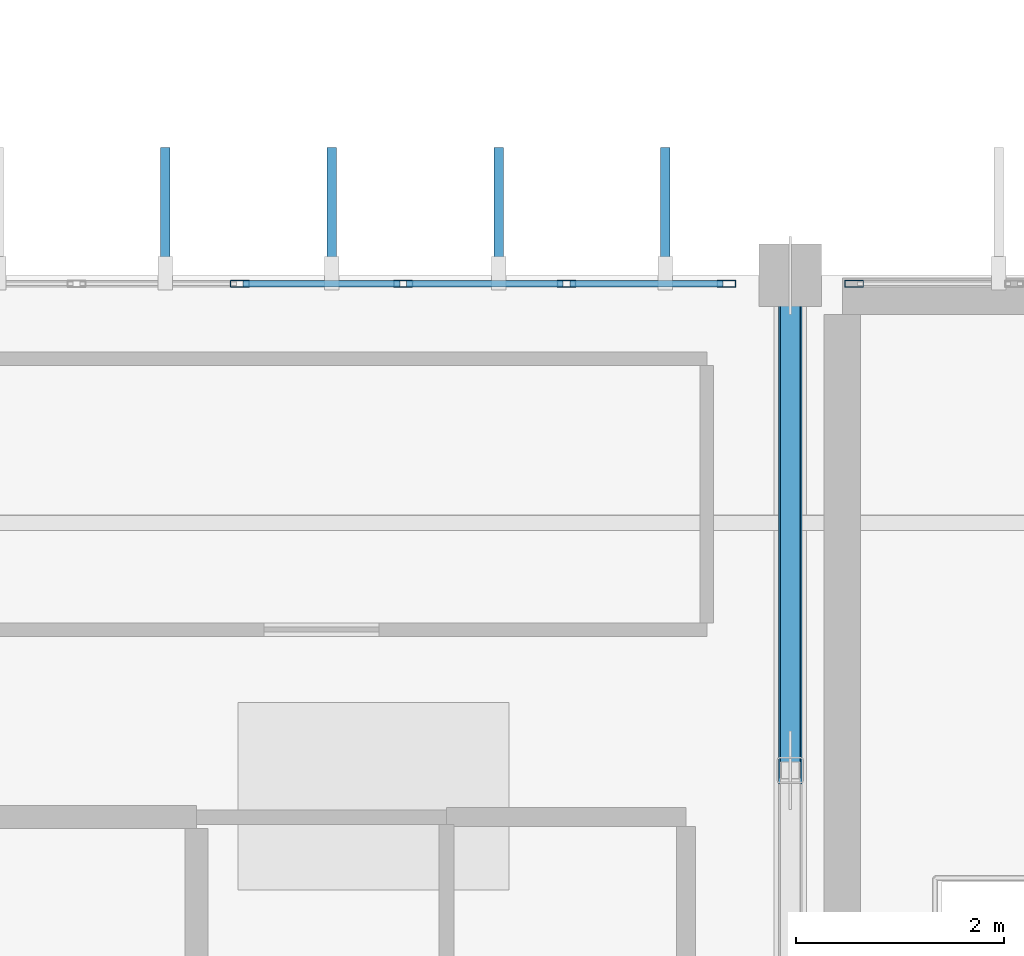
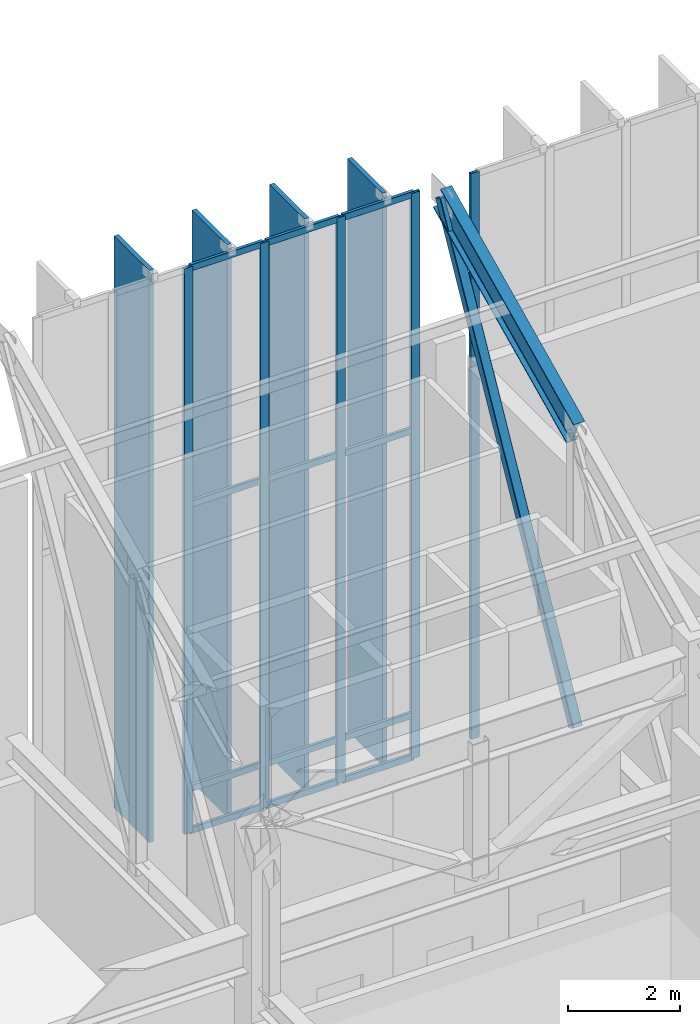
# One storey, part 38 of 68: 22 members, 1 beam, 2 elements without a shape of their own.
"""IFC4 building model written with IfcOpenShell, lengths in metres."""

from ifc_helpers import new_model, si_unit, direction, frame, origin, origin_2d, place, context, subcontext, project, spatial, rectangle, hollow_rectangle, i_section, extrude, material, material_profile, profile_set, type_object, element, aggregate, save


model = new_model("IFC4")

# Units and contexts
model_context = context("Model", 3, precision=1e-05, world=origin(), true_north=direction((0.0, 1.0)))
body_context = subcontext(model_context, "Body", "Model", "MODEL_VIEW")
ifc_project = project(units=[si_unit("LENGTHUNIT", "METRE"), si_unit("AREAUNIT", "SQUARE_METRE"), si_unit("VOLUMEUNIT", "CUBIC_METRE"), si_unit("PLANEANGLEUNIT", "RADIAN"), si_unit("MASSUNIT", "GRAM", prefix="KILO")], contexts=[model_context])

# Site, building, storey
site_placement = place(None, origin())
site = spatial("IfcSite", under=ifc_project, at=site_placement, CompositionType="ELEMENT")
building_placement = place(site_placement, origin())
building = spatial("IfcBuilding", under=site, at=building_placement, Name="Miravela Opera House", CompositionType="ELEMENT")
storey_placement = place(building_placement, frame((0.0, 0.0, 21.760009765625)))
storey = spatial("IfcBuildingStorey", under=building, at=storey_placement, Name="L05", CompositionType="ELEMENT", Elevation=21.760009765625)

# Curtain wall, members
ifc_material_1 = material(Name="Anodised architectural bronze aluminium 6063-T6", Category="aluminium")
curtain_wall_type = type_object("IfcCurtainWallType", Name="ARC-CW-03", PredefinedType="NOTDEFINED", material=ifc_material_1)
curtain_wall_1_placement = place(storey_placement, origin())
curtain_wall_1 = element("IfcCurtainWall", 1, at=curtain_wall_1_placement, inside=storey, type_object=curtain_wall_type, Name="Auditorium North Wrapper Glazing CW-L05-061", PredefinedType="NOTDEFINED")
ifc_material_profile_1 = material_profile(ifc_material_1, hollow_rectangle(XDim=0.06494140625, YDim=0.179931640625, WallThickness=0.00390625, InnerFilletRadius=0.001953125, OuterFilletRadius=0.00390625, at=origin_2d()), Name="CWM-65X180")
ifc_profile_set_1 = profile_set([ifc_material_profile_1])
member_type_1 = type_object("IfcMemberType", Name="ARC-CWM-180", PredefinedType="MULLION", material=ifc_profile_set_1)
member_1_placement = place(storey_placement, frame((39.716064453125, 74.919921875, 0.0), z_axis=(0.0, 0.0, 1.0), x_axis=(0.0, 1.0, 0.0)))
member_1 = element("IfcMember", 2, at=member_1_placement, type_object=member_type_1, Name="CW-03 mullion 3", PredefinedType="MULLION", context=body_context, shape_type="SweptSolid", body=[
    extrude(hollow_rectangle(XDim=0.06494140625, YDim=0.179931640625, WallThickness=0.00390625, InnerFilletRadius=0.001953125, OuterFilletRadius=0.00390625, at=origin_2d()), origin(), (0.0, 0.0, 1.0), 12.31005859375),
])
member_2_placement = place(storey_placement, frame((41.283935546875, 74.919921875, 0.0), z_axis=(0.0, 0.0, 1.0), x_axis=(0.0, 1.0, 0.0)))
member_2 = element("IfcMember", 3, at=member_2_placement, type_object=member_type_1, Name="CW-03 mullion 4", PredefinedType="MULLION", context=body_context, shape_type="SweptSolid", body=[
    extrude(hollow_rectangle(XDim=0.06494140625, YDim=0.179931640625, WallThickness=0.00390625, InnerFilletRadius=0.001953125, OuterFilletRadius=0.00390625, at=origin_2d()), origin(), (0.0, 0.0, 1.0), 12.31005859375),
])
member_3_placement = place(storey_placement, frame((42.85205078125, 74.919921875, 0.0), z_axis=(0.0, 0.0, 1.0), x_axis=(0.0, 1.0, 0.0)))
member_3 = element("IfcMember", 4, at=member_3_placement, type_object=member_type_1, Name="CW-03 mullion 5", PredefinedType="MULLION", context=body_context, shape_type="SweptSolid", body=[
    extrude(hollow_rectangle(XDim=0.06494140625, YDim=0.179931640625, WallThickness=0.00390625, InnerFilletRadius=0.001953125, OuterFilletRadius=0.00390625, at=origin_2d()), origin(), (0.0, 0.0, 1.0), 12.31005859375),
])
member_4_placement = place(storey_placement, frame((44.387451171875, 74.919921875, 0.0), z_axis=(0.0, 0.0, 1.0), x_axis=(0.0, 1.0, 0.0)))
member_4 = element("IfcMember", 5, at=member_4_placement, type_object=member_type_1, Name="CW-03 mullion 6", PredefinedType="MULLION", context=body_context, shape_type="SweptSolid", body=[
    extrude(hollow_rectangle(XDim=0.06494140625, YDim=0.179931640625, WallThickness=0.00390625, InnerFilletRadius=0.001953125, OuterFilletRadius=0.00390625, at=origin_2d()), origin(), (0.0, 0.0, 1.0), 12.31005859375),
])

# Curtain wall, member
curtain_wall_2_placement = place(storey_placement, origin())
curtain_wall_2 = element("IfcCurtainWall", 6, at=curtain_wall_2_placement, inside=storey, type_object=curtain_wall_type, Name="Auditorium North Wrapper Glazing CW-L05-063", PredefinedType="NOTDEFINED")
member_5_placement = place(storey_placement, frame((45.612548828125, 74.919921875, 0.0), z_axis=(0.0, 0.0, 1.0), x_axis=(0.0, 1.0, 0.0)))
member_5 = element("IfcMember", 7, at=member_5_placement, type_object=member_type_1, Name="CW-03 mullion 1", PredefinedType="MULLION", context=body_context, shape_type="SweptSolid", body=[
    extrude(hollow_rectangle(XDim=0.06494140625, YDim=0.179931640625, WallThickness=0.00390625, InnerFilletRadius=0.001953125, OuterFilletRadius=0.00390625, at=origin_2d()), origin(), (0.0, 0.0, 1.0), 12.31005859375),
])
aggregate(curtain_wall_2, [member_5])

# Member
ifc_material_profile_2 = material_profile(ifc_material_1, hollow_rectangle(XDim=0.06494140625, YDim=0.139892578125, WallThickness=0.00390625, InnerFilletRadius=0.001953125, OuterFilletRadius=0.00390625, at=origin_2d()), Name="CWT-65X140")
ifc_profile_set_2 = profile_set([ifc_material_profile_2])
member_type_2 = type_object("IfcMemberType", Name="ARC-CWT-140", PredefinedType="USERDEFINED", material=ifc_profile_set_2)
member_6_placement = place(storey_placement, frame((39.74853515625, 74.919921875, 0.032470703125), z_axis=(1.0, 0.0, 0.0), x_axis=(0.0, 1.0, 0.0)))
member_6 = element("IfcMember", 8, at=member_6_placement, type_object=member_type_2, Name="CW-03 transom 3.1", ObjectType="TRANSOM", PredefinedType="USERDEFINED", context=body_context, shape_type="SweptSolid", body=[
    extrude(hollow_rectangle(XDim=0.06494140625, YDim=0.139892578125, WallThickness=0.00390625, InnerFilletRadius=0.001953125, OuterFilletRadius=0.00390625, at=origin_2d()), origin(), (0.0, 0.0, 1.0), 1.5029296875),
])

member_7_placement = place(storey_placement, frame((39.74853515625, 74.919921875, 0.949951171875), z_axis=(1.0, 0.0, 0.0), x_axis=(0.0, 1.0, 0.0)))
member_7 = element("IfcMember", 9, at=member_7_placement, type_object=member_type_2, Name="CW-03 transom 3.2", ObjectType="TRANSOM", PredefinedType="USERDEFINED", context=body_context, shape_type="SweptSolid", body=[
    extrude(hollow_rectangle(XDim=0.06494140625, YDim=0.139892578125, WallThickness=0.00390625, InnerFilletRadius=0.001953125, OuterFilletRadius=0.00390625, at=origin_2d()), origin(), (0.0, 0.0, 1.0), 1.5029296875),
])

member_8_placement = place(storey_placement, frame((39.74853515625, 74.919921875, 7.139892578125), z_axis=(1.0, 0.0, 0.0), x_axis=(0.0, 1.0, 0.0)))
member_8 = element("IfcMember", 10, at=member_8_placement, type_object=member_type_2, Name="CW-03 transom 3.3", ObjectType="TRANSOM", PredefinedType="USERDEFINED", context=body_context, shape_type="SweptSolid", body=[
    extrude(hollow_rectangle(XDim=0.06494140625, YDim=0.139892578125, WallThickness=0.00390625, InnerFilletRadius=0.001953125, OuterFilletRadius=0.00390625, at=origin_2d()), origin(), (0.0, 0.0, 1.0), 1.5029296875),
])

member_9_placement = place(storey_placement, frame((39.74853515625, 74.919921875, 12.277587890625), z_axis=(1.0, 0.0, 0.0), x_axis=(0.0, 1.0, 0.0)))
member_9 = element("IfcMember", 11, at=member_9_placement, type_object=member_type_2, Name="CW-03 transom 3.4", ObjectType="TRANSOM", PredefinedType="USERDEFINED", context=body_context, shape_type="SweptSolid", body=[
    extrude(hollow_rectangle(XDim=0.06494140625, YDim=0.139892578125, WallThickness=0.00390625, InnerFilletRadius=0.001953125, OuterFilletRadius=0.00390625, at=origin_2d()), origin(), (0.0, 0.0, 1.0), 1.5029296875),
])

member_10_placement = place(storey_placement, frame((41.31640625, 74.919921875, 0.032470703125), z_axis=(1.0, 0.0, 0.0), x_axis=(0.0, 1.0, 0.0)))
member_10 = element("IfcMember", 12, at=member_10_placement, type_object=member_type_2, Name="CW-03 transom 4.1", ObjectType="TRANSOM", PredefinedType="USERDEFINED", context=body_context, shape_type="SweptSolid", body=[
    extrude(hollow_rectangle(XDim=0.06494140625, YDim=0.139892578125, WallThickness=0.00390625, InnerFilletRadius=0.001953125, OuterFilletRadius=0.00390625, at=origin_2d()), origin(), (0.0, 0.0, 1.0), 1.503173828125),
])

member_11_placement = place(storey_placement, frame((41.31640625, 74.919921875, 0.949951171875), z_axis=(1.0, 0.0, 0.0), x_axis=(0.0, 1.0, 0.0)))
member_11 = element("IfcMember", 13, at=member_11_placement, type_object=member_type_2, Name="CW-03 transom 4.2", ObjectType="TRANSOM", PredefinedType="USERDEFINED", context=body_context, shape_type="SweptSolid", body=[
    extrude(hollow_rectangle(XDim=0.06494140625, YDim=0.139892578125, WallThickness=0.00390625, InnerFilletRadius=0.001953125, OuterFilletRadius=0.00390625, at=origin_2d()), origin(), (0.0, 0.0, 1.0), 1.503173828125),
])

member_12_placement = place(storey_placement, frame((41.31640625, 74.919921875, 7.139892578125), z_axis=(1.0, 0.0, 0.0), x_axis=(0.0, 1.0, 0.0)))
member_12 = element("IfcMember", 14, at=member_12_placement, type_object=member_type_2, Name="CW-03 transom 4.3", ObjectType="TRANSOM", PredefinedType="USERDEFINED", context=body_context, shape_type="SweptSolid", body=[
    extrude(hollow_rectangle(XDim=0.06494140625, YDim=0.139892578125, WallThickness=0.00390625, InnerFilletRadius=0.001953125, OuterFilletRadius=0.00390625, at=origin_2d()), origin(), (0.0, 0.0, 1.0), 1.503173828125),
])

member_13_placement = place(storey_placement, frame((41.31640625, 74.919921875, 12.277587890625), z_axis=(1.0, 0.0, 0.0), x_axis=(0.0, 1.0, 0.0)))
member_13 = element("IfcMember", 15, at=member_13_placement, type_object=member_type_2, Name="CW-03 transom 4.4", ObjectType="TRANSOM", PredefinedType="USERDEFINED", context=body_context, shape_type="SweptSolid", body=[
    extrude(hollow_rectangle(XDim=0.06494140625, YDim=0.139892578125, WallThickness=0.00390625, InnerFilletRadius=0.001953125, OuterFilletRadius=0.00390625, at=origin_2d()), origin(), (0.0, 0.0, 1.0), 1.503173828125),
])

member_14_placement = place(storey_placement, frame((42.884521484375, 74.919921875, 0.032470703125), z_axis=(1.0, 0.0, 0.0), x_axis=(0.0, 1.0, 0.0)))
member_14 = element("IfcMember", 16, at=member_14_placement, type_object=member_type_2, Name="CW-03 transom 5.1", ObjectType="TRANSOM", PredefinedType="USERDEFINED", context=body_context, shape_type="SweptSolid", body=[
    extrude(hollow_rectangle(XDim=0.06494140625, YDim=0.139892578125, WallThickness=0.00390625, InnerFilletRadius=0.001953125, OuterFilletRadius=0.00390625, at=origin_2d()), origin(), (0.0, 0.0, 1.0), 1.470458984375),
])

member_15_placement = place(storey_placement, frame((42.884521484375, 74.919921875, 0.949951171875), z_axis=(1.0, 0.0, 0.0), x_axis=(0.0, 1.0, 0.0)))
member_15 = element("IfcMember", 17, at=member_15_placement, type_object=member_type_2, Name="CW-03 transom 5.2", ObjectType="TRANSOM", PredefinedType="USERDEFINED", context=body_context, shape_type="SweptSolid", body=[
    extrude(hollow_rectangle(XDim=0.06494140625, YDim=0.139892578125, WallThickness=0.00390625, InnerFilletRadius=0.001953125, OuterFilletRadius=0.00390625, at=origin_2d()), origin(), (0.0, 0.0, 1.0), 1.470458984375),
])

member_16_placement = place(storey_placement, frame((42.884521484375, 74.919921875, 7.139892578125), z_axis=(1.0, 0.0, 0.0), x_axis=(0.0, 1.0, 0.0)))
member_16 = element("IfcMember", 18, at=member_16_placement, type_object=member_type_2, Name="CW-03 transom 5.3", ObjectType="TRANSOM", PredefinedType="USERDEFINED", context=body_context, shape_type="SweptSolid", body=[
    extrude(hollow_rectangle(XDim=0.06494140625, YDim=0.139892578125, WallThickness=0.00390625, InnerFilletRadius=0.001953125, OuterFilletRadius=0.00390625, at=origin_2d()), origin(), (0.0, 0.0, 1.0), 1.470458984375),
])

member_17_placement = place(storey_placement, frame((42.884521484375, 74.919921875, 12.277587890625), z_axis=(1.0, 0.0, 0.0), x_axis=(0.0, 1.0, 0.0)))
member_17 = element("IfcMember", 19, at=member_17_placement, type_object=member_type_2, Name="CW-03 transom 5.4", ObjectType="TRANSOM", PredefinedType="USERDEFINED", context=body_context, shape_type="SweptSolid", body=[
    extrude(hollow_rectangle(XDim=0.06494140625, YDim=0.139892578125, WallThickness=0.00390625, InnerFilletRadius=0.001953125, OuterFilletRadius=0.00390625, at=origin_2d()), origin(), (0.0, 0.0, 1.0), 1.470458984375),
])

aggregate(curtain_wall_1, [member_1, member_2, member_3, member_4, member_6, member_7, member_8, member_9, member_10, member_11, member_12, member_13, member_14, member_15, member_16, member_17])

# Members
ifc_material_profile_3 = material_profile(ifc_material_1, rectangle(XDim=0.090087890625, YDim=1.25, at=origin_2d()), Name="FIN-1250X90")
ifc_profile_set_3 = profile_set([ifc_material_profile_3])
member_type_3 = type_object("IfcMemberType", Name="ARC-FIN-1250", PredefinedType="USERDEFINED", material=ifc_profile_set_3)
for number, where, z_axis, x_axis, name in (
    (20, (39.0, 75.60498046875, 0.0), (0.0, 0.0, 1.0), (1.0, 0.0, 0.0), "Auditorium Wrapper Bronze Solar Fin FIN-L05-NORTH-0189"),
    (21, (40.60009765625, 75.60498046875, 0.0), (0.0, 0.0, 1.0), (1.0, 0.0, 0.0), "Auditorium Wrapper Bronze Solar Fin FIN-L05-NORTH-0191"),
    (22, (42.199951171875, 75.60498046875, 0.0), (0.0, 0.0, 1.0), (1.0, 0.0, 0.0), "Auditorium Wrapper Bronze Solar Fin FIN-L05-NORTH-0193"),
    (23, (43.800048828125, 75.60498046875, 0.0), (0.0, 0.0, 1.0), (1.0, 0.0, 0.0), "Auditorium Wrapper Bronze Solar Fin FIN-L05-NORTH-0195"),
):
    element("IfcMember", number, at=place(storey_placement, frame(where, z_axis=z_axis, x_axis=x_axis)), inside=storey, type_object=member_type_3, Name=name, ObjectType="FIN", PredefinedType="USERDEFINED", context=body_context, shape_type="SweptSolid", body=[
        extrude(rectangle(XDim=0.090087890625, YDim=1.25, at=origin_2d()), origin(), (0.0, 0.0, 1.0), 12.449951171875),
    ])

# Beam
ifc_material_2 = material(Name="Structural steel ASTM A992 Gr. 50", Category="steel")
ifc_material_profile_4 = material_profile(ifc_material_2, i_section(OverallWidth=0.22998046875, OverallDepth=0.616943359375, WebThickness=0.01318359375, FlangeThickness=0.022216796875, FilletRadius=0.01806640625, at=origin_2d()), Name="W610X140")
ifc_profile_set_4 = profile_set([ifc_material_profile_4])
beam_type = type_object("IfcBeamType", Name="STR-BM-W610X140", PredefinedType="BEAM", material=ifc_profile_set_4)
beam_placement = place(storey_placement, frame((45.0, 70.25, 9.689453125), z_axis=(0.0, 0.903737838894, 0.428086344739), x_axis=(-1.0, 0.0, 0.0)))
element("IfcBeam", 24, at=beam_placement, inside=storey, type_object=beam_type, Name="V-Crest Roof Rafter Girder X=45 Seg 8", PredefinedType="BEAM", context=body_context, shape_type="SweptSolid", body=[
    extrude(i_section(OverallWidth=0.22998046875, OverallDepth=0.616943359375, WebThickness=0.01318359375, FlangeThickness=0.022216796875, FilletRadius=0.01806640625, at=origin_2d()), origin(), (0.0, 0.0, 1.0), 5.255859375),
])

# Member
ifc_material_3 = material(Name="Hollow structural steel ASTM A500 Gr. C", Category="steel")
ifc_material_profile_5 = material_profile(ifc_material_3, hollow_rectangle(XDim=0.199951171875, YDim=0.199951171875, WallThickness=0.010009765625, InnerFilletRadius=0.010009765625, OuterFilletRadius=0.02001953125, at=origin_2d()), Name="HSS200X200X10")
ifc_profile_set_5 = profile_set([ifc_material_profile_5])
member_type_4 = type_object("IfcMemberType", Name="STR-MEM-WEDGE-WEB", PredefinedType="BRACE", material=ifc_profile_set_5)
member_18_placement = place(storey_placement, frame((45.0, 70.25, 3.280029296875), z_axis=(0.0, 0.480911686794, 0.876769040001), x_axis=(-1.0, 0.0, 0.0)))
element("IfcMember", 25, at=member_18_placement, inside=storey, type_object=member_type_4, Name="V-Crest Roof Truss Web Diagonal X=45 Bay 8", PredefinedType="BRACE", context=body_context, shape_type="SweptSolid", body=[
    extrude(hollow_rectangle(XDim=0.199951171875, YDim=0.199951171875, WallThickness=0.010009765625, InnerFilletRadius=0.010009765625, OuterFilletRadius=0.02001953125, at=origin_2d()), origin(), (0.0, 0.0, 1.0), 9.876953125),
])

save(model, "model.ifc")
